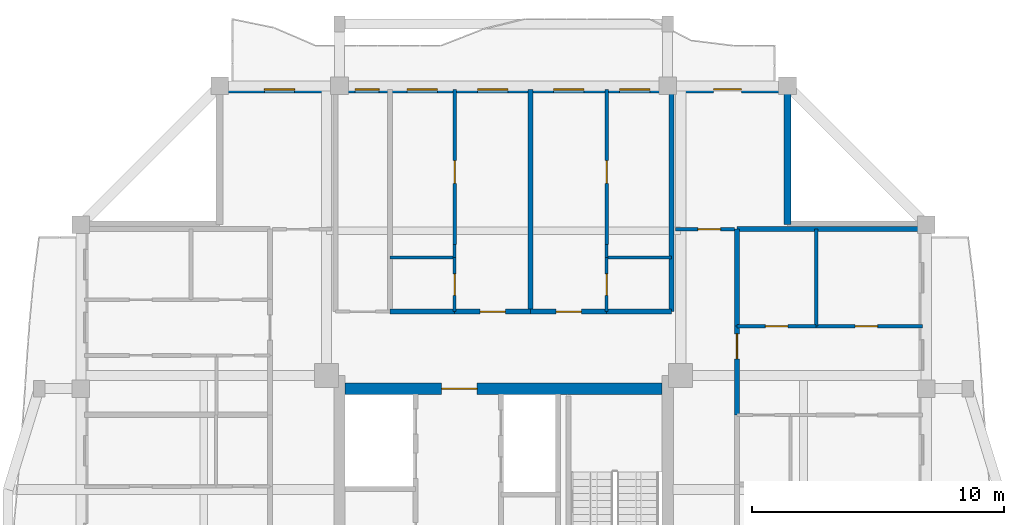
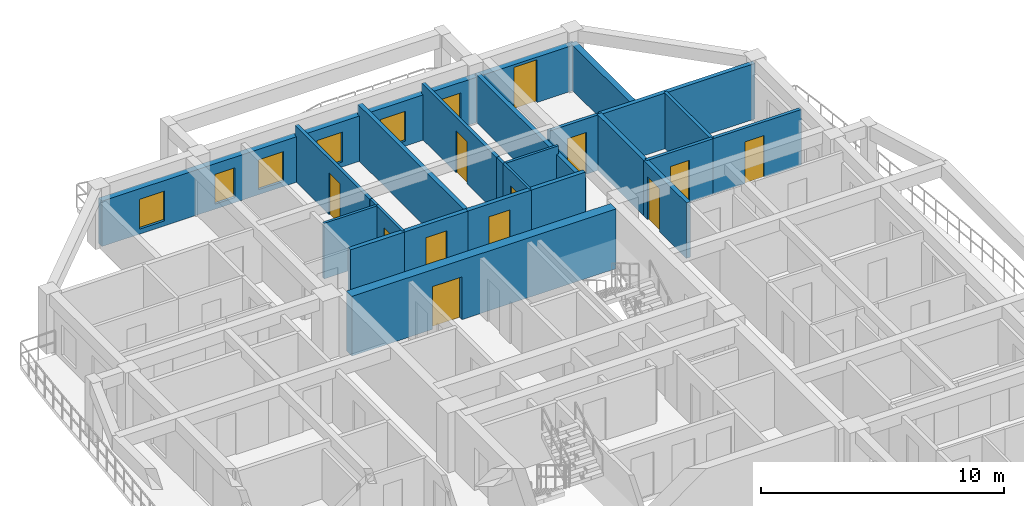
# One storey, part 7 of 14: 24 walls, 12 doors, 6 windows, 18 openings.
"""IFC4 building model written with IfcOpenShell, lengths in metres."""

from ifc_helpers import new_model, si_unit, direction, frame, frame_2d, origin, place, context, subcontext, project, spatial, rectangle, extrude, source, transform, mapped, material, layer, layer_set, type_object, element, fill, save


model = new_model("IFC4")

# Units and contexts
model_context = context("Model", 3, precision=1e-05, world=origin(), true_north=direction((0.0, 1.0)))
body_context = subcontext(model_context, "Body", "Model", "MODEL_VIEW")
ifc_project = project(units=[si_unit("LENGTHUNIT", "METRE"), si_unit("AREAUNIT", "SQUARE_METRE"), si_unit("VOLUMEUNIT", "CUBIC_METRE"), si_unit("PLANEANGLEUNIT", "RADIAN"), si_unit("MASSUNIT", "GRAM", prefix="KILO")], contexts=[model_context])

# Site, building, storey
site_placement = place(None, origin())
site = spatial("IfcSite", under=ifc_project, at=site_placement, CompositionType="ELEMENT")
building_placement = place(site_placement, origin())
building = spatial("IfcBuilding", under=site, at=building_placement, Name="Saelheon Loggia Tower", CompositionType="ELEMENT")
storey_placement = place(building_placement, frame((0.0, 0.0, 230.10009765625)))
storey = spatial("IfcBuildingStorey", under=building, at=storey_placement, Name="L71", CompositionType="ELEMENT", Elevation=230.10009765625)

# Wall, opening, door
ifc_material_1 = material(Name="Concrete C45/55", Category="concrete")
ifc_layer_1 = layer(ifc_material_1, 0.449951171875)
ifc_layer_set_1 = layer_set([ifc_layer_1], Name="Concrete C45/55")
wall_type_1 = type_object("IfcWallType", Name="Wall_CoreShear_450", PredefinedType="SHEAR", material=ifc_layer_set_1)
wall_1_placement = place(storey_placement, frame((31.72509765625, 36.0, 0.0), z_axis=(0.0, 0.0, 1.0), x_axis=(1.0, 0.0, 0.0)))
wall_1 = element("IfcWall", 1, at=wall_1_placement, inside=storey, type_object=wall_type_1, Name="L71 Core Shear Wall North", PredefinedType="SHEAR", context=body_context, shape_type="SweptSolid", body=[
    extrude(rectangle(XDim=12.5498046875, YDim=0.449951171875, at=frame_2d((6.27490234375, 0.0))), origin(), (0.0, 0.0, 1.0), 3.0),
])
opening_1_placement = place(wall_1_placement, frame((5.224853515625, 0.0, 0.0), z_axis=(0.0, 0.0, 1.0), x_axis=(-1.0, 0.0, 0.0)))
opening_1 = element("IfcOpeningElement", 2, at=opening_1_placement, cuts=wall_1, Name="Opening D-FD2L", PredefinedType="OPENING", context=body_context, shape_type="SweptSolid", body=[
    extrude(rectangle(XDim=1.39990234375, YDim=2.14990234375, at=frame_2d((0.699951171875, 1.074951171875))), frame((0.0, 0.237060546875, 0.0), z_axis=(0.0, -1.0, 0.0), x_axis=(1.0, 0.0, 0.0)), (0.0, 0.0, 1.0), 0.473876953125),
])
ifc_material_2 = material(Name="Galvanised Steel Glazed Lobby Fire Door", Category="steel")
door_type_1 = type_object("IfcDoorType", Name="Door_Fire_FD60_1400", OperationType="NOTDEFINED", PredefinedType="DOOR", material=ifc_material_2)
shared_shape_1 = source(origin(), body_context, "Body", "SweptSolid", [
    extrude(rectangle(XDim=1.39990234375, YDim=2.14990234375, at=frame_2d((0.699951171875, 1.074951171875))), frame((0.0, 0.02490234375, 0.0), z_axis=(0.0, -1.0, 0.0), x_axis=(1.0, 0.0, 0.0)), (0.0, 0.0, 1.0), 0.050048828125),
])
door_1_placement = place(opening_1_placement, origin())
door_1 = element("IfcDoor", 3, at=door_1_placement, inside=storey, type_object=door_type_1, Name="L71 Passenger Lift Lobby Main Door", OperationType="SINGLE_SWING_RIGHT", OverallHeight=2.14990234375, OverallWidth=1.39990234375, PredefinedType="DOOR", context=body_context, shape_type="MappedRepresentation", body=[
    mapped(shared_shape_1, transform((0.0, 0.0, 0.0), scale=1.0)),
])
fill(opening_1, door_1)

# Wall, openings, windows, door
ifc_material_3 = material(Name="Architectural Precast Concrete C40/50", Category="concrete")
ifc_layer_2 = layer(ifc_material_3, 0.280029296875)
ifc_layer_set_2 = layer_set([ifc_layer_2], Name="Architectural Precast Concrete C40/50")
wall_type_2 = type_object("IfcWallType", Name="Wall_Ext_Loggia_280", PredefinedType="SOLIDWALL", material=ifc_layer_set_2)
wall_2_placement = place(storey_placement, frame((26.75, 47.860107421875, 0.0), z_axis=(0.0, 0.0, 1.0), x_axis=(1.0, 0.0, 0.0)))
wall_2 = element("IfcWall", 4, at=wall_2_placement, inside=storey, type_object=wall_type_2, Name="L71 North Loggia Inner Wall", PredefinedType="SOLIDWALL", context=body_context, shape_type="SweptSolid", body=[
    extrude(rectangle(XDim=22.5, YDim=0.280029296875, at=frame_2d((11.25, 0.0))), origin(), (0.0, 0.0, 1.0), 2.27978515625),
])
opening_2_placement = place(wall_2_placement, frame((1.77490234375, 0.0, 0.25)))
opening_2 = element("IfcOpeningElement", 5, at=opening_2_placement, cuts=wall_2, Name="Opening WN-03", PredefinedType="OPENING", context=body_context, shape_type="SweptSolid", body=[
    extrude(rectangle(XDim=1.199951171875, YDim=1.5, at=frame_2d((0.60009765625, 0.75))), frame((0.0, 0.152099609375, 0.0), z_axis=(0.0, -1.0, 0.0), x_axis=(1.0, 0.0, 0.0)), (0.0, 0.0, 1.0), 0.303955078125),
])
opening_3_placement = place(wall_2_placement, frame((5.3701171875, 0.0, 0.25)))
opening_3 = element("IfcOpeningElement", 6, at=opening_3_placement, cuts=wall_2, Name="Opening WN-04", PredefinedType="OPENING", context=body_context, shape_type="SweptSolid", body=[
    extrude(rectangle(XDim=0.949951171875, YDim=1.5, at=frame_2d((0.47509765625, 0.75))), frame((0.0, 0.152099609375, 0.0), z_axis=(0.0, -1.0, 0.0), x_axis=(1.0, 0.0, 0.0)), (0.0, 0.0, 1.0), 0.303955078125),
])
opening_4_placement = place(wall_2_placement, frame((7.432373046875, 0.0, 0.25)))
opening_4 = element("IfcOpeningElement", 7, at=opening_4_placement, cuts=wall_2, Name="Opening WN-03", PredefinedType="OPENING", context=body_context, shape_type="SweptSolid", body=[
    extrude(rectangle(XDim=1.199951171875, YDim=1.5, at=frame_2d((0.60009765625, 0.75))), frame((0.0, 0.152099609375, 0.0), z_axis=(0.0, -1.0, 0.0), x_axis=(1.0, 0.0, 0.0)), (0.0, 0.0, 1.0), 0.303955078125),
])
opening_5_placement = place(wall_2_placement, frame((10.2197265625, 0.0, 0.25)))
opening_5 = element("IfcOpeningElement", 8, at=opening_5_placement, cuts=wall_2, Name="Opening WN-03", PredefinedType="OPENING", context=body_context, shape_type="SweptSolid", body=[
    extrude(rectangle(XDim=1.199951171875, YDim=1.5, at=frame_2d((0.60009765625, 0.75))), frame((0.0, 0.152099609375, 0.0), z_axis=(0.0, -1.0, 0.0), x_axis=(1.0, 0.0, 0.0)), (0.0, 0.0, 1.0), 0.303955078125),
])
opening_6_placement = place(wall_2_placement, frame((13.230224609375, 0.0, 0.25)))
opening_6 = element("IfcOpeningElement", 9, at=opening_6_placement, cuts=wall_2, Name="Opening WN-03", PredefinedType="OPENING", context=body_context, shape_type="SweptSolid", body=[
    extrude(rectangle(XDim=1.199951171875, YDim=1.5, at=frame_2d((0.60009765625, 0.75))), frame((0.0, 0.152099609375, 0.0), z_axis=(0.0, -1.0, 0.0), x_axis=(1.0, 0.0, 0.0)), (0.0, 0.0, 1.0), 0.303955078125),
])
opening_7_placement = place(wall_2_placement, frame((15.847900390625, 0.0, 0.25)))
opening_7 = element("IfcOpeningElement", 10, at=opening_7_placement, cuts=wall_2, Name="Opening WN-03", PredefinedType="OPENING", context=body_context, shape_type="SweptSolid", body=[
    extrude(rectangle(XDim=1.199951171875, YDim=1.5, at=frame_2d((0.60009765625, 0.75))), frame((0.0, 0.152099609375, 0.0), z_axis=(0.0, -1.0, 0.0), x_axis=(1.0, 0.0, 0.0)), (0.0, 0.0, 1.0), 0.303955078125),
])
opening_8_placement = place(wall_2_placement, frame((19.574951171875, 0.0, 0.0)))
opening_8 = element("IfcOpeningElement", 11, at=opening_8_placement, cuts=wall_2, Name="Opening TD1", PredefinedType="OPENING", context=body_context, shape_type="SweptSolid", body=[
    extrude(rectangle(XDim=1.10009765625, YDim=2.14990234375, at=frame_2d((0.550048828125, 1.074951171875))), frame((0.0, 0.152099609375, 0.0), z_axis=(0.0, -1.0, 0.0), x_axis=(1.0, 0.0, 0.0)), (0.0, 0.0, 1.0), 0.303955078125),
])
ifc_material_4 = material(Name="Thermal-Break Aluminium and Triple Low-E Glass", Category="aluminium")
window_type_1 = type_object("IfcWindowType", Name="Win_Bedroom_1200x1500", PartitioningType="SINGLE_PANEL", PredefinedType="WINDOW", material=ifc_material_4)
shared_shape_2 = source(origin(), body_context, "Body", "SweptSolid", [
    extrude(rectangle(XDim=1.199951171875, YDim=1.5, at=frame_2d((0.60009765625, 0.75))), frame((0.0, 0.030029296875, 0.0), z_axis=(0.0, -1.0, 0.0), x_axis=(1.0, 0.0, 0.0)), (0.0, 0.0, 1.0), 0.06005859375),
])
window_1_placement = place(opening_2_placement, origin())
window_1 = element("IfcWindow", 12, at=window_1_placement, inside=storey, type_object=window_type_1, Name="L71 N Dwelling Window 1", OverallHeight=1.5, OverallWidth=1.199951171875, PartitioningType="SINGLE_PANEL", PredefinedType="WINDOW", context=body_context, shape_type="MappedRepresentation", body=[
    mapped(shared_shape_2, transform((0.0, 0.0, 0.0), scale=1.0)),
])
fill(opening_2, window_1)
window_2_placement = place(opening_4_placement, origin())
window_2 = element("IfcWindow", 13, at=window_2_placement, inside=storey, type_object=window_type_1, Name="L71 N Dwelling Window 3", OverallHeight=1.5, OverallWidth=1.199951171875, PartitioningType="SINGLE_PANEL", PredefinedType="WINDOW", context=body_context, shape_type="MappedRepresentation", body=[
    mapped(shared_shape_2, transform((0.0, 0.0, 0.0), scale=1.0)),
])
fill(opening_4, window_2)
window_3_placement = place(opening_5_placement, origin())
window_3 = element("IfcWindow", 14, at=window_3_placement, inside=storey, type_object=window_type_1, Name="L71 N Dwelling Window 4", OverallHeight=1.5, OverallWidth=1.199951171875, PartitioningType="SINGLE_PANEL", PredefinedType="WINDOW", context=body_context, shape_type="MappedRepresentation", body=[
    mapped(shared_shape_2, transform((0.0, 0.0, 0.0), scale=1.0)),
])
fill(opening_5, window_3)
window_4_placement = place(opening_6_placement, origin())
window_4 = element("IfcWindow", 15, at=window_4_placement, inside=storey, type_object=window_type_1, Name="L71 N Dwelling Window 5", OverallHeight=1.5, OverallWidth=1.199951171875, PartitioningType="SINGLE_PANEL", PredefinedType="WINDOW", context=body_context, shape_type="MappedRepresentation", body=[
    mapped(shared_shape_2, transform((0.0, 0.0, 0.0), scale=1.0)),
])
fill(opening_6, window_4)
window_5_placement = place(opening_7_placement, origin())
window_5 = element("IfcWindow", 16, at=window_5_placement, inside=storey, type_object=window_type_1, Name="L71 N Dwelling Window 6", OverallHeight=1.5, OverallWidth=1.199951171875, PartitioningType="SINGLE_PANEL", PredefinedType="WINDOW", context=body_context, shape_type="MappedRepresentation", body=[
    mapped(shared_shape_2, transform((0.0, 0.0, 0.0), scale=1.0)),
])
fill(opening_7, window_5)
ifc_material_5 = material(Name="Thermal-Break Aluminium Glazed Door", Category="aluminium")
door_type_2 = type_object("IfcDoorType", Name="Door_Terrace_TD1", OperationType="NOTDEFINED", PredefinedType="DOOR", material=ifc_material_5)
shared_shape_3 = source(origin(), body_context, "Body", "SweptSolid", [
    extrude(rectangle(XDim=1.10009765625, YDim=2.14990234375, at=frame_2d((0.550048828125, 1.074951171875))), frame((0.0, 0.02490234375, 0.0), z_axis=(0.0, -1.0, 0.0), x_axis=(1.0, 0.0, 0.0)), (0.0, 0.0, 1.0), 0.050048828125),
])
door_2_placement = place(opening_8_placement, origin())
door_2 = element("IfcDoor", 17, at=door_2_placement, inside=storey, type_object=door_type_2, Name="L71 N Loggia Access Door", OperationType="SINGLE_SWING_LEFT", OverallHeight=2.14990234375, OverallWidth=1.10009765625, PredefinedType="DOOR", context=body_context, shape_type="MappedRepresentation", body=[
    mapped(shared_shape_3, transform((0.0, 0.0, 0.0), scale=1.0)),
])
fill(opening_8, door_2)
window_type_2 = type_object("IfcWindowType", Name="Win_Narrow_950x1500", PartitioningType="SINGLE_PANEL", PredefinedType="WINDOW", material=ifc_material_4)
shared_shape_4 = source(origin(), body_context, "Body", "SweptSolid", [
    extrude(rectangle(XDim=0.949951171875, YDim=1.5, at=frame_2d((0.47509765625, 0.75))), frame((0.0, 0.030029296875, 0.0), z_axis=(0.0, -1.0, 0.0), x_axis=(1.0, 0.0, 0.0)), (0.0, 0.0, 1.0), 0.06005859375),
])
window_6_placement = place(opening_3_placement, origin())
window_6 = element("IfcWindow", 18, at=window_6_placement, inside=storey, type_object=window_type_2, Name="L71 N Dwelling Window 2", OverallHeight=1.5, OverallWidth=0.949951171875, PartitioningType="SINGLE_PANEL", PredefinedType="WINDOW", context=body_context, shape_type="MappedRepresentation", body=[
    mapped(shared_shape_4, transform((0.0, 0.0, 0.0), scale=1.0)),
])
fill(opening_3, window_6)

# Wall
wall_3_placement = place(storey_placement, frame((49.25, 42.5, 0.0), z_axis=(0.0, 0.0, 1.0), x_axis=(0.0, 1.0, 0.0)))
element("IfcWall", 19, at=wall_3_placement, inside=storey, type_object=wall_type_2, Name="L71 Corner Notch Precast Wall NE1", PredefinedType="SOLIDWALL", context=body_context, shape_type="SweptSolid", body=[
    extrude(rectangle(XDim=5.419921875, YDim=0.280029296875, at=frame_2d((2.7099609375, 0.0))), origin(), (0.0, 0.0, 1.0), 2.27978515625),
])

# Wall, opening, door
ifc_material_6 = material(Name="Lightweight Autoclaved Aerated Concrete Block and Acoustic Gypsum", Category="concrete")
ifc_layer_3 = layer(ifc_material_6, 0.14990234375)
ifc_layer_set_3 = layer_set([ifc_layer_3], Name="Lightweight Autoclaved Aerated Concrete Block and Acoustic Gypsum")
wall_type_3 = type_object("IfcWallType", Name="Wall_Part_150", PredefinedType="PARTITIONING", material=ifc_layer_set_3)
wall_4_placement = place(storey_placement, frame((44.820068359375, 42.320068359375, 0.0), z_axis=(0.0, 0.0, 1.0), x_axis=(1.0, 0.0, 0.0)))
wall_4 = element("IfcWall", 20, at=wall_4_placement, inside=storey, type_object=wall_type_3, Name="PW-L71-CNE-H", PredefinedType="PARTITIONING", context=body_context, shape_type="SweptSolid", body=[
    extrude(rectangle(XDim=2.329833984375, YDim=0.14990234375, at=frame_2d((1.1650390625, 0.0))), origin(), (0.0, 0.0, 1.0), 2.789794921875),
])
opening_9_placement = place(wall_4_placement, frame((0.8798828125, 0.0, 0.0)))
opening_9 = element("IfcOpeningElement", 21, at=opening_9_placement, cuts=wall_4, Name="Opening D-IN2", PredefinedType="OPENING", context=body_context, shape_type="SweptSolid", body=[
    extrude(rectangle(XDim=0.89990234375, YDim=2.10009765625, at=frame_2d((0.449951171875, 1.050048828125))), frame((0.0, 0.0869140625, 0.0), z_axis=(0.0, -1.0, 0.0), x_axis=(1.0, 0.0, 0.0)), (0.0, 0.0, 1.0), 0.173828125),
])
ifc_material_7 = material(Name="Engineered Oak Flush Door", Category="timber")
door_type_3 = type_object("IfcDoorType", Name="Door_Int_900", OperationType="NOTDEFINED", PredefinedType="DOOR", material=ifc_material_7)
shared_shape_5 = source(origin(), body_context, "Body", "SweptSolid", [
    extrude(rectangle(XDim=0.89990234375, YDim=2.10009765625, at=frame_2d((0.449951171875, 1.050048828125))), frame((0.0, 0.02490234375, 0.0), z_axis=(0.0, -1.0, 0.0), x_axis=(1.0, 0.0, 0.0)), (0.0, 0.0, 1.0), 0.050048828125),
])
door_3_placement = place(opening_9_placement, origin())
door_3 = element("IfcDoor", 22, at=door_3_placement, inside=storey, type_object=door_type_3, Name="L71 Corner Reading Room NE Door", OperationType="SINGLE_SWING_RIGHT", OverallHeight=2.10009765625, OverallWidth=0.89990234375, PredefinedType="DOOR", context=body_context, shape_type="MappedRepresentation", body=[
    mapped(shared_shape_5, transform((0.0, 0.0, 0.0), scale=1.0)),
])
fill(opening_9, door_3)

wall_5_placement = place(storey_placement, frame((36.064453125, 41.7099609375, 0.0), z_axis=(0.0, 0.0, 1.0), x_axis=(0.0, 1.0, 0.0)))
wall_5 = element("IfcWall", 23, at=wall_5_placement, inside=storey, type_object=wall_type_3, Name="L71 N Partition U10", PredefinedType="PARTITIONING", context=body_context, shape_type="SweptSolid", body=[
    extrude(rectangle(XDim=6.14013671875, YDim=0.14990234375, at=frame_2d((3.070068359375, 0.0))), origin(), (0.0, 0.0, 1.0), 2.789794921875),
])
opening_10_placement = place(wall_5_placement, frame((2.421630859375, 0.0, 0.0)))
opening_10 = element("IfcOpeningElement", 24, at=opening_10_placement, cuts=wall_5, Name="Opening D-IN2", PredefinedType="OPENING", context=body_context, shape_type="SweptSolid", body=[
    extrude(rectangle(XDim=0.89990234375, YDim=2.10009765625, at=frame_2d((0.449951171875, 1.050048828125))), frame((0.0, 0.0869140625, 0.0), z_axis=(0.0, -1.0, 0.0), x_axis=(1.0, 0.0, 0.0)), (0.0, 0.0, 1.0), 0.173828125),
])
door_4_placement = place(opening_10_placement, origin())
door_4 = element("IfcDoor", 25, at=door_4_placement, inside=storey, type_object=door_type_3, Name="Unit U03 Kitchen Door", OperationType="SINGLE_SWING_RIGHT", OverallHeight=2.10009765625, OverallWidth=0.89990234375, PredefinedType="DOOR", context=body_context, shape_type="MappedRepresentation", body=[
    mapped(shared_shape_5, transform((0.0, 0.0, 0.0), scale=1.0)),
])
fill(opening_10, door_4)

wall_6_placement = place(storey_placement, frame((42.08544921875, 41.7099609375, 0.0), z_axis=(0.0, 0.0, 1.0), x_axis=(0.0, 1.0, 0.0)))
wall_6 = element("IfcWall", 26, at=wall_6_placement, inside=storey, type_object=wall_type_3, Name="L71 N Partition U17", PredefinedType="PARTITIONING", context=body_context, shape_type="SweptSolid", body=[
    extrude(rectangle(XDim=6.14013671875, YDim=0.14990234375, at=frame_2d((3.070068359375, 0.0))), origin(), (0.0, 0.0, 1.0), 2.789794921875),
])
opening_11_placement = place(wall_6_placement, frame((2.421630859375, 0.0, 0.0)))
opening_11 = element("IfcOpeningElement", 27, at=opening_11_placement, cuts=wall_6, Name="Opening D-IN2", PredefinedType="OPENING", context=body_context, shape_type="SweptSolid", body=[
    extrude(rectangle(XDim=0.89990234375, YDim=2.10009765625, at=frame_2d((0.449951171875, 1.050048828125))), frame((0.0, 0.0869140625, 0.0), z_axis=(0.0, -1.0, 0.0), x_axis=(1.0, 0.0, 0.0)), (0.0, 0.0, 1.0), 0.173828125),
])
door_5_placement = place(opening_11_placement, origin())
door_5 = element("IfcDoor", 28, at=door_5_placement, inside=storey, type_object=door_type_3, Name="Unit U04 Kitchen Door", OperationType="SINGLE_SWING_LEFT", OverallHeight=2.10009765625, OverallWidth=0.89990234375, PredefinedType="DOOR", context=body_context, shape_type="MappedRepresentation", body=[
    mapped(shared_shape_5, transform((0.0, 0.0, 0.0), scale=1.0)),
])
fill(opening_11, door_5)

# Wall
wall_7_placement = place(storey_placement, frame((50.389892578125, 38.477783203125, 0.0), z_axis=(0.0, 0.0, 1.0), x_axis=(0.0, 1.0, 0.0)))
element("IfcWall", 29, at=wall_7_placement, inside=storey, type_object=wall_type_3, Name="L71 E Partition V29", PredefinedType="PARTITIONING", context=body_context, shape_type="SweptSolid", body=[
    extrude(rectangle(XDim=3.84228515625, YDim=0.14990234375, at=frame_2d((1.921142578125, 0.0))), origin(), (0.0, 0.0, 1.0), 2.789794921875),
])

# Wall, opening, door
wall_8_placement = place(storey_placement, frame((47.25, 38.477783203125, 0.0), z_axis=(0.0, 0.0, 1.0), x_axis=(1.0, 0.0, 0.0)))
wall_8 = element("IfcWall", 30, at=wall_8_placement, inside=storey, type_object=wall_type_3, Name="L71 E Partition U33", PredefinedType="PARTITIONING", context=body_context, shape_type="SweptSolid", body=[
    extrude(rectangle(XDim=3.139892578125, YDim=0.14990234375, at=frame_2d((1.56982421875, 0.0))), origin(), (0.0, 0.0, 1.0), 2.789794921875),
])
opening_12_placement = place(wall_8_placement, frame((1.1201171875, 0.0, 0.0)))
opening_12 = element("IfcOpeningElement", 31, at=opening_12_placement, cuts=wall_8, Name="Opening D-IN2", PredefinedType="OPENING", context=body_context, shape_type="SweptSolid", body=[
    extrude(rectangle(XDim=0.89990234375, YDim=2.10009765625, at=frame_2d((0.449951171875, 1.050048828125))), frame((0.0, 0.0869140625, 0.0), z_axis=(0.0, -1.0, 0.0), x_axis=(1.0, 0.0, 0.0)), (0.0, 0.0, 1.0), 0.173828125),
])
door_6_placement = place(opening_12_placement, origin())
door_6 = element("IfcDoor", 32, at=door_6_placement, inside=storey, type_object=door_type_3, Name="Unit U11 Private Study Door", OperationType="SINGLE_SWING_LEFT", OverallHeight=2.10009765625, OverallWidth=0.89990234375, PredefinedType="DOOR", context=body_context, shape_type="MappedRepresentation", body=[
    mapped(shared_shape_5, transform((0.0, 0.0, 0.0), scale=1.0)),
])
fill(opening_12, door_6)

wall_9_placement = place(storey_placement, frame((50.389892578125, 38.477783203125, 0.0), z_axis=(0.0, 0.0, 1.0), x_axis=(1.0, 0.0, 0.0)))
wall_9 = element("IfcWall", 33, at=wall_9_placement, inside=storey, type_object=wall_type_3, Name="L71 E Partition U34", PredefinedType="PARTITIONING", context=body_context, shape_type="SweptSolid", body=[
    extrude(rectangle(XDim=4.210205078125, YDim=0.14990234375, at=frame_2d((2.10498046875, 0.0))), origin(), (0.0, 0.0, 1.0), 2.789794921875),
])
opening_13_placement = place(wall_9_placement, frame((1.537109375, 0.0, 0.0)))
opening_13 = element("IfcOpeningElement", 34, at=opening_13_placement, cuts=wall_9, Name="Opening D-IN2", PredefinedType="OPENING", context=body_context, shape_type="SweptSolid", body=[
    extrude(rectangle(XDim=0.89990234375, YDim=2.10009765625, at=frame_2d((0.449951171875, 1.050048828125))), frame((0.0, 0.0869140625, 0.0), z_axis=(0.0, -1.0, 0.0), x_axis=(1.0, 0.0, 0.0)), (0.0, 0.0, 1.0), 0.173828125),
])
door_7_placement = place(opening_13_placement, origin())
door_7 = element("IfcDoor", 35, at=door_7_placement, inside=storey, type_object=door_type_3, Name="Unit U11 Bedroom 1 Door", OperationType="SINGLE_SWING_RIGHT", OverallHeight=2.10009765625, OverallWidth=0.89990234375, PredefinedType="DOOR", context=body_context, shape_type="MappedRepresentation", body=[
    mapped(shared_shape_5, transform((0.0, 0.0, 0.0), scale=1.0)),
])
fill(opening_13, door_7)

# Walls
ifc_material_8 = material(Name="Double Acoustic Stud and Fireboard Partition", Category="gypsum")
ifc_layer_4 = layer(ifc_material_8, 0.199951171875)
ifc_layer_set_4 = layer_set([ifc_layer_4], Name="Double Acoustic Stud and Fireboard Partition")
wall_type_4 = type_object("IfcWallType", Name="Wall_Party_200", PredefinedType="PARTITIONING", material=ifc_layer_set_4)
wall_10_placement = place(storey_placement, frame((44.64990234375, 39.050048828125, 0.0), z_axis=(0.0, 0.0, 1.0), x_axis=(0.0, 1.0, 0.0)))
element("IfcWall", 36, at=wall_10_placement, inside=storey, type_object=wall_type_4, Name="L71 N Partition U02", PredefinedType="PARTITIONING", context=body_context, shape_type="SweptSolid", body=[
    extrude(rectangle(XDim=8.800048828125, YDim=0.199951171875, at=frame_2d((4.39990234375, 0.0))), origin(), (0.0, 0.0, 1.0), 2.389892578125),
])
wall_11_placement = place(storey_placement, frame((33.5, 39.050048828125, 0.0), z_axis=(0.0, 0.0, 1.0), x_axis=(1.0, 0.0, 0.0)))
element("IfcWall", 37, at=wall_11_placement, inside=storey, type_object=wall_type_4, Name="L71 N Partition V05", PredefinedType="PARTITIONING", context=body_context, shape_type="SweptSolid", body=[
    extrude(rectangle(XDim=2.564453125, YDim=0.199951171875, at=frame_2d((1.2822265625, 0.0))), origin(), (0.0, 0.0, 1.0), 2.789794921875),
])

# Wall, opening, door
wall_12_placement = place(storey_placement, frame((36.064453125, 39.050048828125, 0.0), z_axis=(0.0, 0.0, 1.0), x_axis=(1.0, 0.0, 0.0)))
wall_12 = element("IfcWall", 38, at=wall_12_placement, inside=storey, type_object=wall_type_4, Name="L71 N Partition V06", PredefinedType="PARTITIONING", context=body_context, shape_type="SweptSolid", body=[
    extrude(rectangle(XDim=3.010498046875, YDim=0.199951171875, at=frame_2d((1.50537109375, 0.0))), origin(), (0.0, 0.0, 1.0), 2.789794921875),
])
opening_14_placement = place(wall_12_placement, frame((1.00537109375, 0.0, 0.0)))
opening_14 = element("IfcOpeningElement", 39, at=opening_14_placement, cuts=wall_12, Name="Opening D-FD1", PredefinedType="OPENING", context=body_context, shape_type="SweptSolid", body=[
    extrude(rectangle(XDim=1.0, YDim=2.14990234375, at=frame_2d((0.5, 1.074951171875))), frame((0.0, 0.112060546875, 0.0), z_axis=(0.0, -1.0, 0.0), x_axis=(1.0, 0.0, 0.0)), (0.0, 0.0, 1.0), 0.223876953125),
])
ifc_material_9 = material(Name="Fire-Rated Engineered Timber Entrance Door", Category="wood")
door_type_4 = type_object("IfcDoorType", Name="Door_Flat_FD30S", OperationType="NOTDEFINED", PredefinedType="DOOR", material=ifc_material_9)
shared_shape_6 = source(origin(), body_context, "Body", "SweptSolid", [
    extrude(rectangle(XDim=1.0, YDim=2.14990234375, at=frame_2d((0.5, 1.074951171875))), frame((0.0, 0.02490234375, 0.0), z_axis=(0.0, -1.0, 0.0), x_axis=(1.0, 0.0, 0.0)), (0.0, 0.0, 1.0), 0.050048828125),
])
door_8_placement = place(opening_14_placement, origin())
door_8 = element("IfcDoor", 40, at=door_8_placement, inside=storey, type_object=door_type_4, Name="Unit U03 Entrance Door", OperationType="SINGLE_SWING_RIGHT", OverallHeight=2.14990234375, OverallWidth=1.0, PredefinedType="DOOR", context=body_context, shape_type="MappedRepresentation", body=[
    mapped(shared_shape_6, transform((0.0, 0.0, 0.0), scale=1.0)),
])
fill(opening_14, door_8)

# Wall
wall_13_placement = place(storey_placement, frame((39.074951171875, 39.050048828125, 0.0), z_axis=(0.0, 0.0, 1.0), x_axis=(0.0, 1.0, 0.0)))
element("IfcWall", 41, at=wall_13_placement, inside=storey, type_object=wall_type_4, Name="L71 N Partition U11", PredefinedType="PARTITIONING", context=body_context, shape_type="SweptSolid", body=[
    extrude(rectangle(XDim=8.800048828125, YDim=0.199951171875, at=frame_2d((4.39990234375, 0.0))), origin(), (0.0, 0.0, 1.0), 2.789794921875),
])

# Wall, opening, door
wall_14_placement = place(storey_placement, frame((39.074951171875, 39.050048828125, 0.0), z_axis=(0.0, 0.0, 1.0), x_axis=(1.0, 0.0, 0.0)))
wall_14 = element("IfcWall", 42, at=wall_14_placement, inside=storey, type_object=wall_type_4, Name="L71 N Partition V12", PredefinedType="PARTITIONING", context=body_context, shape_type="SweptSolid", body=[
    extrude(rectangle(XDim=3.010498046875, YDim=0.199951171875, at=frame_2d((1.50537109375, 0.0))), origin(), (0.0, 0.0, 1.0), 2.789794921875),
])
opening_15_placement = place(wall_14_placement, frame((1.00537109375, 0.0, 0.0)))
opening_15 = element("IfcOpeningElement", 43, at=opening_15_placement, cuts=wall_14, Name="Opening D-FD1", PredefinedType="OPENING", context=body_context, shape_type="SweptSolid", body=[
    extrude(rectangle(XDim=1.0, YDim=2.14990234375, at=frame_2d((0.5, 1.074951171875))), frame((0.0, 0.112060546875, 0.0), z_axis=(0.0, -1.0, 0.0), x_axis=(1.0, 0.0, 0.0)), (0.0, 0.0, 1.0), 0.223876953125),
])
door_9_placement = place(opening_15_placement, origin())
door_9 = element("IfcDoor", 44, at=door_9_placement, inside=storey, type_object=door_type_4, Name="Unit U04 Entrance Door", OperationType="SINGLE_SWING_LEFT", OverallHeight=2.14990234375, OverallWidth=1.0, PredefinedType="DOOR", context=body_context, shape_type="MappedRepresentation", body=[
    mapped(shared_shape_6, transform((0.0, 0.0, 0.0), scale=1.0)),
])
fill(opening_15, door_9)

# Walls
wall_15_placement = place(storey_placement, frame((42.08544921875, 39.050048828125, 0.0), z_axis=(0.0, 0.0, 1.0), x_axis=(1.0, 0.0, 0.0)))
element("IfcWall", 45, at=wall_15_placement, inside=storey, type_object=wall_type_4, Name="L71 N Partition V13", PredefinedType="PARTITIONING", context=body_context, shape_type="SweptSolid", body=[
    extrude(rectangle(XDim=2.564453125, YDim=0.199951171875, at=frame_2d((1.2822265625, 0.0))), origin(), (0.0, 0.0, 1.0), 2.789794921875),
])
wall_16_placement = place(storey_placement, frame((47.25, 42.320068359375, 0.0), z_axis=(0.0, 0.0, 1.0), x_axis=(1.0, 0.0, 0.0)))
element("IfcWall", 46, at=wall_16_placement, inside=storey, type_object=wall_type_4, Name="L71 E Partition U02", PredefinedType="PARTITIONING", context=body_context, shape_type="SweptSolid", body=[
    extrude(rectangle(XDim=7.35009765625, YDim=0.199951171875, at=frame_2d((3.675048828125, 0.0))), origin(), (0.0, 0.0, 1.0), 2.789794921875),
])

# Wall, opening, door
wall_17_placement = place(storey_placement, frame((47.25, 34.958740234375, 0.0), z_axis=(0.0, 0.0, 1.0), x_axis=(0.0, 1.0, 0.0)))
wall_17 = element("IfcWall", 47, at=wall_17_placement, inside=storey, type_object=wall_type_4, Name="L71 E Partition V26", PredefinedType="PARTITIONING", context=body_context, shape_type="SweptSolid", body=[
    extrude(rectangle(XDim=3.51904296875, YDim=0.199951171875, at=frame_2d((1.759521484375, 0.0))), origin(), (0.0, 0.0, 1.0), 2.789794921875),
])
opening_16_placement = place(wall_17_placement, frame((2.21728515625, 0.0, 0.0)))
opening_16 = element("IfcOpeningElement", 48, at=opening_16_placement, cuts=wall_17, Name="Opening D-FD1", PredefinedType="OPENING", context=body_context, shape_type="SweptSolid", body=[
    extrude(rectangle(XDim=1.0, YDim=2.14990234375, at=frame_2d((0.5, 1.074951171875))), frame((0.0, 0.112060546875, 0.0), z_axis=(0.0, -1.0, 0.0), x_axis=(1.0, 0.0, 0.0)), (0.0, 0.0, 1.0), 0.223876953125),
])
door_10_placement = place(opening_16_placement, origin())
door_10 = element("IfcDoor", 49, at=door_10_placement, inside=storey, type_object=door_type_4, Name="Unit U11 Entrance Door", OperationType="SINGLE_SWING_RIGHT", OverallHeight=2.14990234375, OverallWidth=1.0, PredefinedType="DOOR", context=body_context, shape_type="MappedRepresentation", body=[
    mapped(shared_shape_6, transform((0.0, 0.0, 0.0), scale=1.0)),
])
fill(opening_16, door_10)

# Wall
wall_18_placement = place(storey_placement, frame((47.25, 38.477783203125, 0.0), z_axis=(0.0, 0.0, 1.0), x_axis=(0.0, 1.0, 0.0)))
element("IfcWall", 50, at=wall_18_placement, inside=storey, type_object=wall_type_4, Name="L71 E Partition V27", PredefinedType="PARTITIONING", context=body_context, shape_type="SweptSolid", body=[
    extrude(rectangle(XDim=3.84228515625, YDim=0.199951171875, at=frame_2d((1.921142578125, 0.0))), origin(), (0.0, 0.0, 1.0), 2.789794921875),
])

# Wall, opening, door
ifc_material_10 = material(Name="Moisture-Resistant Cement Board Partition", Category="gypsum")
ifc_layer_5 = layer(ifc_material_10, 0.1201171875)
ifc_layer_set_5 = layer_set([ifc_layer_5], Name="Moisture-Resistant Cement Board Partition")
wall_type_5 = type_object("IfcWallType", Name="Wall_WetPart_120", PredefinedType="PARTITIONING", material=ifc_layer_set_5)
wall_19_placement = place(storey_placement, frame((36.064453125, 39.050048828125, 0.0), z_axis=(0.0, 0.0, 1.0), x_axis=(0.0, 1.0, 0.0)))
wall_19 = element("IfcWall", 51, at=wall_19_placement, inside=storey, type_object=wall_type_5, Name="L71 N Partition U07", PredefinedType="PARTITIONING", context=body_context, shape_type="SweptSolid", body=[
    extrude(rectangle(XDim=2.14990234375, YDim=0.1201171875, at=frame_2d((1.074951171875, 0.0))), origin(), (0.0, 0.0, 1.0), 2.789794921875),
])
opening_17_placement = place(wall_19_placement, frame((0.64990234375, 0.0, 0.0)))
opening_17 = element("IfcOpeningElement", 52, at=opening_17_placement, cuts=wall_19, Name="Opening D-BT1", PredefinedType="OPENING", context=body_context, shape_type="SweptSolid", body=[
    extrude(rectangle(XDim=0.85009765625, YDim=2.050048828125, at=frame_2d((0.425048828125, 1.02490234375))), frame((0.0, 0.072021484375, 0.0), z_axis=(0.0, -1.0, 0.0), x_axis=(1.0, 0.0, 0.0)), (0.0, 0.0, 1.0), 0.14404296875),
])
ifc_material_11 = material(Name="Moisture-Resistant Laminate Timber Door", Category="wood")
door_type_5 = type_object("IfcDoorType", Name="Door_Bath_850", OperationType="NOTDEFINED", PredefinedType="DOOR", material=ifc_material_11)
shared_shape_7 = source(origin(), body_context, "Body", "SweptSolid", [
    extrude(rectangle(XDim=0.85009765625, YDim=2.050048828125, at=frame_2d((0.425048828125, 1.02490234375))), frame((0.0, 0.02490234375, 0.0), z_axis=(0.0, -1.0, 0.0), x_axis=(1.0, 0.0, 0.0)), (0.0, 0.0, 1.0), 0.050048828125),
])
door_11_placement = place(opening_17_placement, origin())
door_11 = element("IfcDoor", 53, at=door_11_placement, inside=storey, type_object=door_type_5, Name="Unit U03 Bathroom Door", OperationType="SINGLE_SWING_LEFT", OverallHeight=2.050048828125, OverallWidth=0.85009765625, PredefinedType="DOOR", context=body_context, shape_type="MappedRepresentation", body=[
    mapped(shared_shape_7, transform((0.0, 0.0, 0.0), scale=1.0)),
])
fill(opening_17, door_11)

# Walls
wall_20_placement = place(storey_placement, frame((36.064453125, 41.199951171875, 0.0), z_axis=(0.0, 0.0, 1.0), x_axis=(0.0, 1.0, 0.0)))
element("IfcWall", 54, at=wall_20_placement, inside=storey, type_object=wall_type_5, Name="L71 N Partition U08", PredefinedType="PARTITIONING", context=body_context, shape_type="SweptSolid", body=[
    extrude(rectangle(XDim=0.510009765625, YDim=0.1201171875, at=frame_2d((0.2548828125, 0.0))), origin(), (0.0, 0.0, 1.0), 2.789794921875),
])
wall_21_placement = place(storey_placement, frame((33.5, 41.199951171875, 0.0), z_axis=(0.0, 0.0, 1.0), x_axis=(1.0, 0.0, 0.0)))
element("IfcWall", 55, at=wall_21_placement, inside=storey, type_object=wall_type_5, Name="L71 N Partition V09", PredefinedType="PARTITIONING", context=body_context, shape_type="SweptSolid", body=[
    extrude(rectangle(XDim=2.564453125, YDim=0.1201171875, at=frame_2d((1.2822265625, 0.0))), origin(), (0.0, 0.0, 1.0), 2.789794921875),
])

# Wall, opening, door
wall_22_placement = place(storey_placement, frame((42.08544921875, 39.050048828125, 0.0), z_axis=(0.0, 0.0, 1.0), x_axis=(0.0, 1.0, 0.0)))
wall_22 = element("IfcWall", 56, at=wall_22_placement, inside=storey, type_object=wall_type_5, Name="L71 N Partition U14", PredefinedType="PARTITIONING", context=body_context, shape_type="SweptSolid", body=[
    extrude(rectangle(XDim=2.14990234375, YDim=0.1201171875, at=frame_2d((1.074951171875, 0.0))), origin(), (0.0, 0.0, 1.0), 2.789794921875),
])
opening_18_placement = place(wall_22_placement, frame((0.64990234375, 0.0, 0.0)))
opening_18 = element("IfcOpeningElement", 57, at=opening_18_placement, cuts=wall_22, Name="Opening D-BT1", PredefinedType="OPENING", context=body_context, shape_type="SweptSolid", body=[
    extrude(rectangle(XDim=0.85009765625, YDim=2.050048828125, at=frame_2d((0.425048828125, 1.02490234375))), frame((0.0, 0.072021484375, 0.0), z_axis=(0.0, -1.0, 0.0), x_axis=(1.0, 0.0, 0.0)), (0.0, 0.0, 1.0), 0.14404296875),
])
door_12_placement = place(opening_18_placement, origin())
door_12 = element("IfcDoor", 58, at=door_12_placement, inside=storey, type_object=door_type_5, Name="Unit U04 Bathroom Door", OperationType="SINGLE_SWING_RIGHT", OverallHeight=2.050048828125, OverallWidth=0.85009765625, PredefinedType="DOOR", context=body_context, shape_type="MappedRepresentation", body=[
    mapped(shared_shape_7, transform((0.0, 0.0, 0.0), scale=1.0)),
])
fill(opening_18, door_12)

# Walls
wall_23_placement = place(storey_placement, frame((42.08544921875, 41.199951171875, 0.0), z_axis=(0.0, 0.0, 1.0), x_axis=(0.0, 1.0, 0.0)))
element("IfcWall", 59, at=wall_23_placement, inside=storey, type_object=wall_type_5, Name="L71 N Partition U15", PredefinedType="PARTITIONING", context=body_context, shape_type="SweptSolid", body=[
    extrude(rectangle(XDim=0.510009765625, YDim=0.1201171875, at=frame_2d((0.2548828125, 0.0))), origin(), (0.0, 0.0, 1.0), 2.789794921875),
])
wall_24_placement = place(storey_placement, frame((42.08544921875, 41.199951171875, 0.0), z_axis=(0.0, 0.0, 1.0), x_axis=(1.0, 0.0, 0.0)))
element("IfcWall", 60, at=wall_24_placement, inside=storey, type_object=wall_type_5, Name="L71 N Partition V16", PredefinedType="PARTITIONING", context=body_context, shape_type="SweptSolid", body=[
    extrude(rectangle(XDim=2.564453125, YDim=0.1201171875, at=frame_2d((1.2822265625, 0.0))), origin(), (0.0, 0.0, 1.0), 2.789794921875),
])

save(model, "model.ifc")
